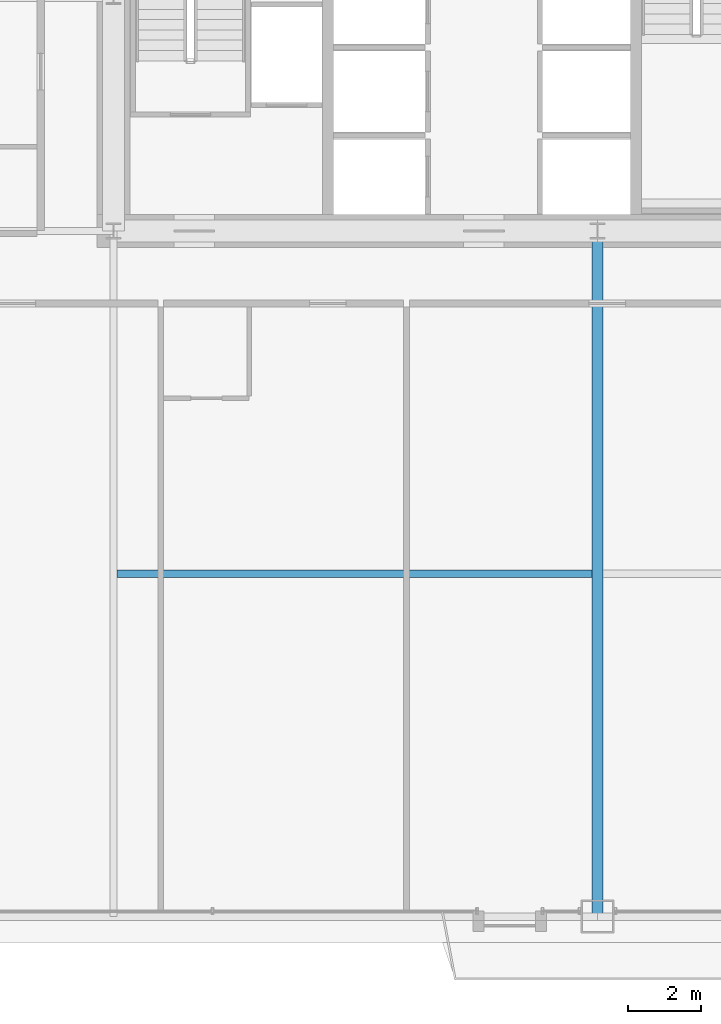
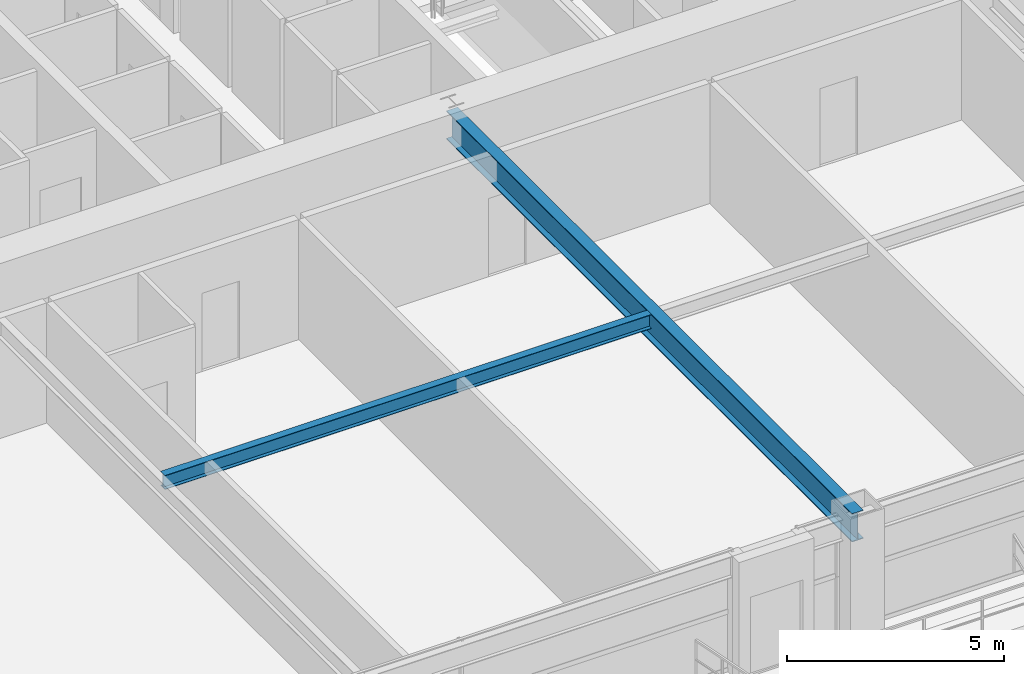
# One storey, part 9 of 45: 2 beams.
"""IFC4 building model written with IfcOpenShell, lengths in metres."""

import ifcopenshell
import ifcopenshell.guid

model = None  # the IFC model being written
_history = None  # IfcOwnerHistory: only IFC2X3 demands one
_inside = {}  # id of a spatial element -> (the spatial element, [elements in it])
_under = {}  # id of a project, library or spatial element -> (it, [spatial elements below it])
_declared = {}  # id of a project -> (the project, [libraries it declares])
_typed = {}  # id of a type object -> (the type object, [elements of that type])
_made_of = {}  # id of a material, layer set ... -> (it, [elements and type objects made of it])


def new_model(schema):
    """Start an empty IFC model of exactly this schema.

    Asked for "IFC4X3", IfcOpenShell would pick the latest addendum, in which some entities
    have other attributes; the version numbers below select the first issue.
    IFC2X3 requires an IfcOwnerHistory on every rooted entity: one is made here for all.
    """
    global model, _history
    if schema == "IFC4X3":
        model = ifcopenshell.file(schema_version=(4, 3, 0, 0))
    else:
        model = ifcopenshell.file(schema=schema)
    _inside.clear()
    _under.clear()
    _declared.clear()
    _typed.clear()
    _made_of.clear()
    _history = None
    if model.schema == "IFC2X3":
        org = make("IfcOrganization", Name="unknown")
        user = make(
            "IfcPersonAndOrganization",
            ThePerson=make("IfcPerson", FamilyName="unknown"),
            TheOrganization=org,
        )
        app = make(
            "IfcApplication",
            ApplicationDeveloper=org,
            Version="unknown",
            ApplicationFullName="unknown",
            ApplicationIdentifier="unknown",
        )
        _history = make(
            "IfcOwnerHistory",
            OwningUser=user,
            OwningApplication=app,
            ChangeAction="ADDED",
            CreationDate=0,
        )
    return model


def make(cls, **values):
    """One entity of the class cls with the attributes given. An attribute that is None is left unset."""
    return model.create_entity(
        cls, **{name: value for name, value in values.items() if value is not None}
    )


def rooted(cls, **values):
    """An entity with a GlobalId (a new one), such as an element, a storey or a relation."""
    return make(cls, GlobalId=ifcopenshell.guid.new(), OwnerHistory=_history, **values)


def si_unit(unit_type, name, prefix=None):
    """IfcSIUnit, for example si_unit("LENGTHUNIT", "METRE", prefix="MILLI")."""
    return make("IfcSIUnit", UnitType=unit_type, Prefix=prefix, Name=name)


def assignment(units):
    """IfcUnitAssignment: the units of a project."""
    return None if units is None else make("IfcUnitAssignment", Units=units)


def point(xyz):
    """IfcCartesianPoint."""
    return None if xyz is None else make("IfcCartesianPoint", Coordinates=xyz)


def direction(xyz):
    """IfcDirection."""
    return None if xyz is None else make("IfcDirection", DirectionRatios=xyz)


def frame(location, z_axis=None, x_axis=None):
    """IfcAxis2Placement3D, a coordinate frame: its origin and axes. An axis left out is left unset."""
    return make(
        "IfcAxis2Placement3D",
        Location=point(location),
        Axis=direction(z_axis),
        RefDirection=direction(x_axis),
    )


def frame_2d(location, x_axis=None):
    """IfcAxis2Placement2D, a coordinate frame in the plane: its origin and x axis."""
    return make(
        "IfcAxis2Placement2D", Location=point(location), RefDirection=direction(x_axis)
    )


def origin():
    """The frame at (0, 0, 0) with its axes left unset."""
    return frame((0.0, 0.0, 0.0))


def origin_2d():
    """The frame at (0, 0) in the plane with its x axis left unset."""
    return frame_2d((0.0, 0.0))


def place(relative_to, where):
    """IfcLocalPlacement: puts the frame where relative to a parent placement (None: the world)."""
    return make(
        "IfcLocalPlacement", PlacementRelTo=relative_to, RelativePlacement=where
    )


def context(
    kind, dimensions, precision=None, world=None, true_north=None, identifier=None
):
    """IfcGeometricRepresentationContext, for example the 3D "Model" context."""
    return make(
        "IfcGeometricRepresentationContext",
        ContextIdentifier=identifier,
        ContextType=kind,
        CoordinateSpaceDimension=dimensions,
        Precision=precision,
        WorldCoordinateSystem=world,
        TrueNorth=true_north,
    )


def subcontext(parent, identifier, kind, view, scale=None):
    """IfcGeometricRepresentationSubContext, for example "Body" below "Model"."""
    return make(
        "IfcGeometricRepresentationSubContext",
        ContextIdentifier=identifier,
        ContextType=kind,
        ParentContext=parent,
        TargetScale=scale,
        TargetView=view,
    )


def project(units=None, contexts=None):
    """IfcProject with its units and contexts."""
    return rooted(
        "IfcProject",
        Name="project",
        RepresentationContexts=contexts,
        UnitsInContext=assignment(units),
    )


def spatial(cls, under=None, at=None, **own):
    """A site, building, storey or space (cls), placed at a placement, below another one or the project."""
    s = rooted(cls, ObjectPlacement=at, **own)
    if under is not None:
        _under.setdefault(under.id(), (under, []))[1].append(s)
    return s


def profile(cls, at=None, kind="AREA", **sizes):
    """A parametric profile (cls). Its sizes go by their IFC names, for example OverallWidth=200.0."""
    return make(cls, ProfileType=kind, Position=at, **sizes)


def i_section(**sizes):
    """IfcIShapeProfileDef."""
    return profile("IfcIShapeProfileDef", **sizes)


def extrude(swept, where, along, depth):
    """IfcExtrudedAreaSolid: the profile swept, set in the frame where, extruded along a direction by depth."""
    return make(
        "IfcExtrudedAreaSolid",
        SweptArea=swept,
        Position=where,
        ExtrudedDirection=direction(along),
        Depth=depth,
    )


def shape(context_of_items, identifier, shape_type, items):
    """IfcShapeRepresentation: the items that make up one representation, for example the "Body"."""
    return make(
        "IfcShapeRepresentation",
        ContextOfItems=context_of_items,
        RepresentationIdentifier=identifier,
        RepresentationType=shape_type,
        Items=items,
    )


def source(mapping_origin, context_of_items, identifier, shape_type, items):
    """IfcRepresentationMap: a shape defined once, which mapped items show again and again."""
    return make(
        "IfcRepresentationMap",
        MappingOrigin=mapping_origin,
        MappedRepresentation=shape(context_of_items, identifier, shape_type, items),
    )


def transform(
    local_origin,
    x_axis=None,
    y_axis=None,
    z_axis=None,
    scale=None,
    scale2=None,
    scale3=None,
    uniform=True,
):
    """IfcCartesianTransformationOperator3D, or its non-uniform kind. x_axis, y_axis, z_axis: its Axis1, 2, 3."""
    if uniform:
        return make(
            "IfcCartesianTransformationOperator3D",
            Axis1=direction(x_axis),
            Axis2=direction(y_axis),
            LocalOrigin=point(local_origin),
            Scale=scale,
            Axis3=direction(z_axis),
        )
    return make(
        "IfcCartesianTransformationOperator3DnonUniform",
        Axis1=direction(x_axis),
        Axis2=direction(y_axis),
        LocalOrigin=point(local_origin),
        Scale=scale,
        Axis3=direction(z_axis),
        Scale2=scale2,
        Scale3=scale3,
    )


def mapped(mapping_source, mapping_target):
    """IfcMappedItem: shows the shape of a source again, moved by a transform."""
    return make(
        "IfcMappedItem", MappingSource=mapping_source, MappingTarget=mapping_target
    )


def material(Name=None, Category=None):
    """IfcMaterial."""
    return make("IfcMaterial", Name=Name, Category=Category)


def material_profile(
    of_material, cross_section, Name=None, Category=None, Priority=None
):
    """IfcMaterialProfile: a cross section and its material."""
    return make(
        "IfcMaterialProfile",
        Name=Name,
        Material=of_material,
        Profile=cross_section,
        Priority=Priority,
        Category=Category,
    )


def profile_set(profiles, Name=None, composite=None):
    """IfcMaterialProfileSet."""
    return make(
        "IfcMaterialProfileSet",
        Name=Name,
        MaterialProfiles=profiles,
        CompositeProfile=composite,
    )


def made_of(thing, what):
    """Note that an element or type object is made of a material, layer set ...; save() writes the relation."""
    if what is not None:
        _made_of.setdefault(what.id(), (what, []))[1].append(thing)
    return thing


def type_object(cls, material=None, **own):
    """A type object (cls), such as IfcWallType, which elements share."""
    return made_of(rooted(cls, **own), material)


def element(
    cls,
    number,
    at=None,
    inside=None,
    cuts=None,
    type_object=None,
    material=None,
    context=None,
    identifier="Body",
    shape_type=None,
    held_by="IfcProductDefinitionShape",
    body=None,
    shapes=None,
    **own,
):
    """One element of the class cls, such as IfcWall. Its Tag is "e" and its number.

    at: its placement. inside: the storey or other place that contains it. cuts: it is an
    opening in that element (IfcRelVoidsElement). A single representation is given by context,
    identifier, shape_type and body (its items); several are given by shapes. held_by: the class
    of the entity that holds the representations. save() writes the other relations.
    """
    e = rooted(cls, Tag="e%d" % number, ObjectPlacement=at, **own)
    if body is not None:
        shapes = [shape(context, identifier, shape_type, body)]
    if shapes is not None:
        e.Representation = make(held_by, Representations=shapes)
    if inside is not None:
        _inside.setdefault(inside.id(), (inside, []))[1].append(e)
    if cuts is not None:
        rooted(
            "IfcRelVoidsElement", RelatingBuildingElement=cuts, RelatedOpeningElement=e
        )
    if type_object is not None:
        _typed.setdefault(type_object.id(), (type_object, []))[1].append(e)
    return made_of(e, material)


def aggregate(whole, parts):
    """IfcRelAggregates: a whole, such as a stair, and the parts it consists of."""
    return rooted("IfcRelAggregates", RelatingObject=whole, RelatedObjects=parts)


def save(model, path):
    """Write the relations noted so far, then the file.

    IfcRelAggregates (storeys below a building ...), IfcRelContainedInSpatialStructure (elements
    in a storey), IfcRelDefinesByType, IfcRelAssociatesMaterial and IfcRelDeclares: one each for
    every whole, place, type object, material and project.
    """
    for whole, parts in _under.values():
        aggregate(whole, parts)
    for where, things in _inside.values():
        rooted(
            "IfcRelContainedInSpatialStructure",
            RelatedElements=things,
            RelatingStructure=where,
        )
    for kind, things in _typed.values():
        rooted("IfcRelDefinesByType", RelatedObjects=things, RelatingType=kind)
    for what, things in _made_of.values():
        rooted("IfcRelAssociatesMaterial", RelatedObjects=things, RelatingMaterial=what)
    for by, libraries in _declared.values():
        rooted("IfcRelDeclares", RelatingContext=by, RelatedDefinitions=libraries)
    model.write(path)


model = new_model("IFC4")

# Units and contexts
model_context = context("Model", 3, precision=1e-05, world=origin(), true_north=direction((0.0, 1.0)))
body_context = subcontext(model_context, "Body", "Model", "MODEL_VIEW")
ifc_project = project(units=[si_unit("LENGTHUNIT", "METRE"), si_unit("AREAUNIT", "SQUARE_METRE"), si_unit("VOLUMEUNIT", "CUBIC_METRE"), si_unit("PLANEANGLEUNIT", "RADIAN"), si_unit("MASSUNIT", "GRAM", prefix="KILO"), si_unit("THERMODYNAMICTEMPERATUREUNIT", "KELVIN"), si_unit("POWERUNIT", "WATT")], contexts=[model_context])

# Site, building, storey
site_placement = place(None, origin())
site = spatial("IfcSite", under=ifc_project, at=site_placement, CompositionType="ELEMENT")
building_placement = place(site_placement, origin())
building = spatial("IfcBuilding", under=site, at=building_placement, Name="Yuzanri Waterfront Tower", CompositionType="ELEMENT")
storey_placement = place(building_placement, frame((0.0, 0.0, 49.60009765625)))
storey = spatial("IfcBuildingStorey", under=building, at=storey_placement, Name="L12", CompositionType="ELEMENT", Elevation=49.60009765625)

# Beams
ifc_material_1 = material(Name="Steel Q355B", Category="steel")
ifc_material_profile_1 = material_profile(ifc_material_1, i_section(OverallWidth=0.300048828125, OverallDepth=0.800048828125, WebThickness=0.013916015625, FlangeThickness=0.02587890625, at=origin_2d()), Name="HN 800x300x14x26")
ifc_profile_set_1 = profile_set([ifc_material_profile_1], Name="Steel Q355B")
beam_type_1 = type_object("IfcBeamType", Name="Primary Floor Girder Q355B HN 800x300", PredefinedType="BEAM", material=ifc_profile_set_1)
shared_shape_1 = source(origin(), body_context, "Body", "SweptSolid", [
    extrude(i_section(OverallWidth=0.300048828125, OverallDepth=0.800048828125, WebThickness=0.013916015625, FlangeThickness=0.02587890625, at=origin_2d()), origin(), (0.0, 0.0, 1.0), 18.699951171875),
])
beam_1_placement = place(storey_placement, frame((37.0, 19.39990234375, 2.97998046875), z_axis=(0.0, -1.0, 0.0), x_axis=(1.0, 0.0, 0.0)))
element("IfcBeam", 1, at=beam_1_placement, inside=storey, type_object=beam_type_1, Name="L12 South Grid Girder", PredefinedType="BEAM", context=body_context, shape_type="MappedRepresentation", body=[
    mapped(shared_shape_1, transform((0.0, 0.0, 0.0), scale=1.0)),
])
ifc_material_2 = material(Name="Steel Q355B", Category="steel")
ifc_material_profile_2 = material_profile(ifc_material_2, i_section(OverallWidth=0.199951171875, OverallDepth=0.39990234375, WebThickness=0.008056640625, FlangeThickness=0.012939453125, at=origin_2d()), Name="HN 400x200x8x13")
ifc_profile_set_2 = profile_set([ifc_material_profile_2], Name="Steel Q355B")
beam_type_2 = type_object("IfcBeamType", Name="Floor Joist Q355B HN 400x200", PredefinedType="JOIST", material=ifc_profile_set_2)
shared_shape_2 = source(origin(), body_context, "Body", "SweptSolid", [
    extrude(i_section(OverallWidth=0.199951171875, OverallDepth=0.39990234375, WebThickness=0.008056640625, FlangeThickness=0.012939453125, at=origin_2d()), origin(), (0.0, 0.0, 1.0), 12.9501953125),
])
beam_2_placement = place(storey_placement, frame((23.89990234375, 10.050048828125, 3.179931640625), z_axis=(1.0, 0.0, 0.0), x_axis=(0.0, 1.0, 0.0)))
element("IfcBeam", 2, at=beam_2_placement, inside=storey, type_object=beam_type_2, Name="L12 South Bay Joist W", PredefinedType="JOIST", context=body_context, shape_type="MappedRepresentation", body=[
    mapped(shared_shape_2, transform((0.0, 0.0, 0.0), scale=1.0)),
])

save(model, "model.ifc")
